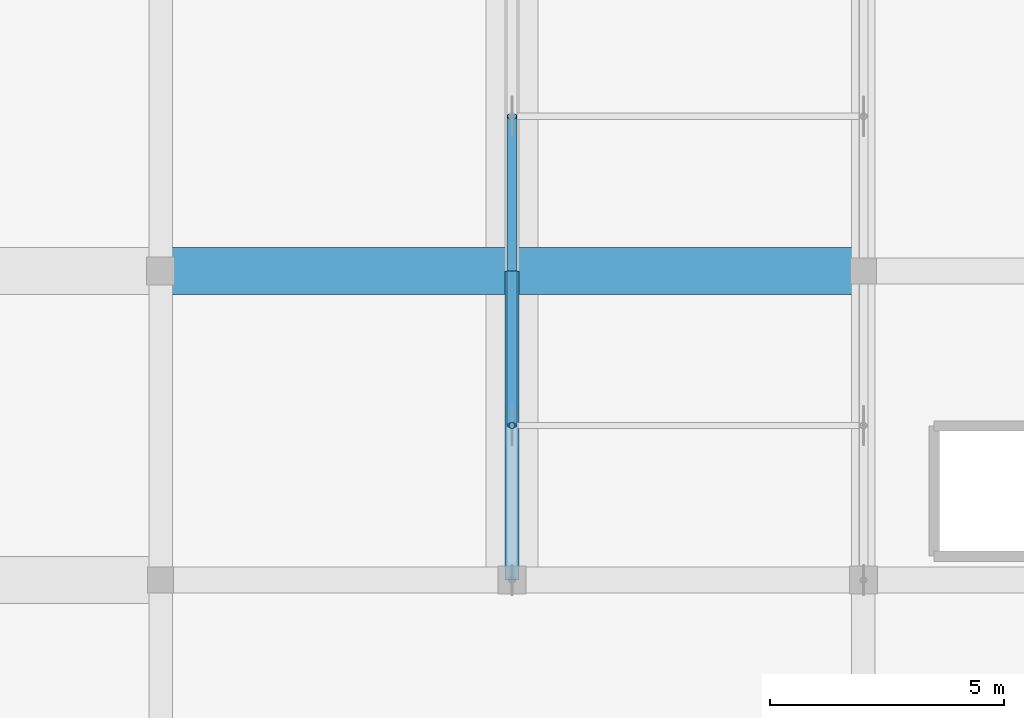
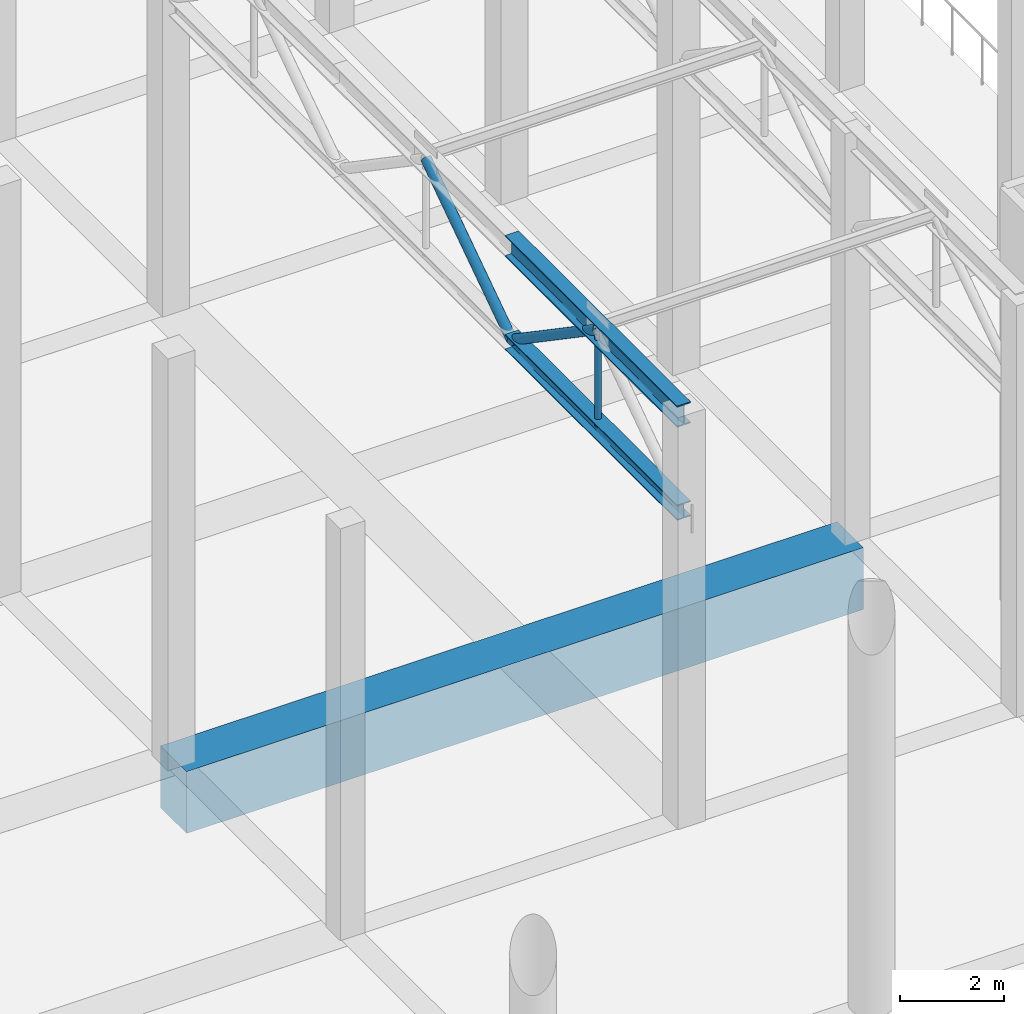
# One storey, part 19 of 80: 5 members, 1 beam.
"""IFC4 building model written with IfcOpenShell, lengths in metres."""

from ifc_helpers import new_model, si_unit, direction, frame, origin, origin_2d, place, context, subcontext, project, spatial, rectangle, hollow_circle, i_section, extrude, material, material_profile, profile_set, type_object, element, save


model = new_model("IFC4")

# Units and contexts
model_context = context("Model", 3, precision=1e-05, world=origin(), true_north=direction((0.0, 1.0)))
body_context = subcontext(model_context, "Body", "Model", "MODEL_VIEW")
ifc_project = project(units=[si_unit("LENGTHUNIT", "METRE"), si_unit("AREAUNIT", "SQUARE_METRE"), si_unit("VOLUMEUNIT", "CUBIC_METRE"), si_unit("PLANEANGLEUNIT", "RADIAN"), si_unit("MASSUNIT", "GRAM", prefix="KILO")], contexts=[model_context])

# Site, building, storey
site_placement = place(None, origin())
site = spatial("IfcSite", under=ifc_project, at=site_placement, CompositionType="ELEMENT")
building_placement = place(site_placement, origin())
building = spatial("IfcBuilding", under=site, at=building_placement, Name="Akrevak Sports Hall", CompositionType="ELEMENT")
storey_placement = place(building_placement, frame((0.0, 0.0, 14.0)))
storey = spatial("IfcBuildingStorey", under=building, at=storey_placement, Name="L03", CompositionType="ELEMENT", Elevation=14.0)

# Beam
ifc_material_1 = material(Name="Concrete C50/60", Category="concrete")
ifc_material_profile_1 = material_profile(ifc_material_1, rectangle(XDim=1.0, YDim=1.449951171875, at=origin_2d()), Name="BM 1000x1450", Category="concrete")
ifc_profile_set_1 = profile_set([ifc_material_profile_1], Name="Concrete C50/60")
beam_type = type_object("IfcBeamType", Name="STR-BM-LG1000x1450", PredefinedType="BEAM", material=ifc_profile_set_1)
beam_placement = place(storey_placement, frame((15.0, 35.39990234375, -0.72509765625), z_axis=(1.0, 0.0, 0.0), x_axis=(0.0, 1.0, 0.0)))
element("IfcBeam", 1, at=beam_placement, inside=storey, type_object=beam_type, Name="Girder F/3-5 (L03)", PredefinedType="BEAM", context=body_context, shape_type="SweptSolid", body=[
    extrude(rectangle(XDim=1.0, YDim=1.449951171875, at=origin_2d()), origin(), (0.0, 0.0, 1.0), 15.0),
])

# Members
ifc_material_2 = material(Name="Steel S355", Category="steel")
ifc_material_profile_2 = material_profile(ifc_material_2, hollow_circle(Radius=0.06982421875, WallThickness=0.008056640625, at=origin_2d()), Name="CHS 139.7x8", Category="steel")
ifc_profile_set_2 = profile_set([ifc_material_profile_2], Name="Steel S355")
member_type_1 = type_object("IfcMemberType", Name="STR-MEM-BRACE-CHS139", PredefinedType="BRACE", material=ifc_profile_set_2)
member_1_placement = place(storey_placement, frame((22.5, 32.10009765625, 7.18994140625), z_axis=(0.0, 0.0, 1.0), x_axis=(1.0, 0.0, 0.0)))
element("IfcMember", 2, at=member_1_placement, inside=storey, type_object=member_type_1, Name="Roof Truss 1 Web Post 1", PredefinedType="BRACE", context=body_context, shape_type="SweptSolid", body=[
    extrude(hollow_circle(Radius=0.06982421875, WallThickness=0.008056640625, at=origin_2d()), origin(), (0.0, 0.0, 1.0), 2.25),
])
ifc_material_profile_3 = material_profile(ifc_material_2, hollow_circle(Radius=0.109619140625, WallThickness=0.010009765625, at=origin_2d()), Name="CHS 219.1x10", Category="steel")
ifc_profile_set_3 = profile_set([ifc_material_profile_3], Name="Steel S355")
member_type_2 = type_object("IfcMemberType", Name="STR-MEM-BRACE-CHS219", PredefinedType="BRACE", material=ifc_profile_set_3)
member_2_placement = place(storey_placement, frame((22.5, 32.10009765625, 9.43994140625), z_axis=(0.0, 0.826211823288, -0.56335958593), x_axis=(-1.0, 0.0, 0.0)))
element("IfcMember", 3, at=member_2_placement, inside=storey, type_object=member_type_2, Name="Roof Truss 1 Web Diagonal 1B", PredefinedType="BRACE", context=body_context, shape_type="SweptSolid", body=[
    extrude(hollow_circle(Radius=0.109619140625, WallThickness=0.010009765625, at=origin_2d()), origin(), (0.0, 0.0, 1.0), 3.993896484375),
])
member_3_placement = place(storey_placement, frame((22.5, 35.39990234375, 7.18994140625), z_axis=(0.0, 0.826231222393, 0.56333113454), x_axis=(-1.0, 0.0, 0.0)))
element("IfcMember", 4, at=member_3_placement, inside=storey, type_object=member_type_2, Name="Roof Truss 1 Web Diagonal 2A", PredefinedType="BRACE", context=body_context, shape_type="SweptSolid", body=[
    extrude(hollow_circle(Radius=0.109619140625, WallThickness=0.010009765625, at=origin_2d()), origin(), (0.0, 0.0, 1.0), 3.994140625),
])
ifc_material_profile_4 = material_profile(ifc_material_2, i_section(OverallWidth=0.300048828125, OverallDepth=0.360107421875, WebThickness=0.012451171875, FlangeThickness=0.0224609375, FilletRadius=0.027099609375, at=origin_2d()), Name="HEB 360", Category="steel")
ifc_profile_set_4 = profile_set([ifc_material_profile_4], Name="Steel S355")
member_type_3 = type_object("IfcMemberType", Name="STR-MEM-CHORD-HEB360", PredefinedType="CHORD", material=ifc_profile_set_4)
member_4_placement = place(storey_placement, frame((22.5, 28.800048828125, 7.18994140625), z_axis=(0.0, 1.0, 0.0), x_axis=(-1.0, 0.0, 0.0)))
element("IfcMember", 5, at=member_4_placement, inside=storey, type_object=member_type_3, Name="Roof Truss 1 Bottom Chord 1", PredefinedType="CHORD", context=body_context, shape_type="SweptSolid", body=[
    extrude(i_section(OverallWidth=0.300048828125, OverallDepth=0.360107421875, WebThickness=0.012451171875, FlangeThickness=0.0224609375, FilletRadius=0.027099609375, at=origin_2d()), origin(), (0.0, 0.0, 1.0), 6.599853515625),
])
ifc_material_profile_5 = material_profile(ifc_material_2, i_section(OverallWidth=0.300048828125, OverallDepth=0.5, WebThickness=0.014404296875, FlangeThickness=0.028076171875, FilletRadius=0.027099609375, at=origin_2d()), Name="HEB 500", Category="steel")
ifc_profile_set_5 = profile_set([ifc_material_profile_5], Name="Steel S355")
member_type_4 = type_object("IfcMemberType", Name="STR-MEM-CHORD-HEB500", PredefinedType="CHORD", material=ifc_profile_set_5)
member_5_placement = place(storey_placement, frame((22.5, 28.800048828125, 9.43994140625), z_axis=(0.0, 1.0, 0.0), x_axis=(-1.0, 0.0, 0.0)))
element("IfcMember", 6, at=member_5_placement, inside=storey, type_object=member_type_4, Name="Roof Truss 1 Top Chord 1", PredefinedType="CHORD", context=body_context, shape_type="SweptSolid", body=[
    extrude(i_section(OverallWidth=0.300048828125, OverallDepth=0.5, WebThickness=0.014404296875, FlangeThickness=0.028076171875, FilletRadius=0.027099609375, at=origin_2d()), origin(), (0.0, 0.0, 1.0), 6.599853515625),
])

save(model, "model.ifc")
